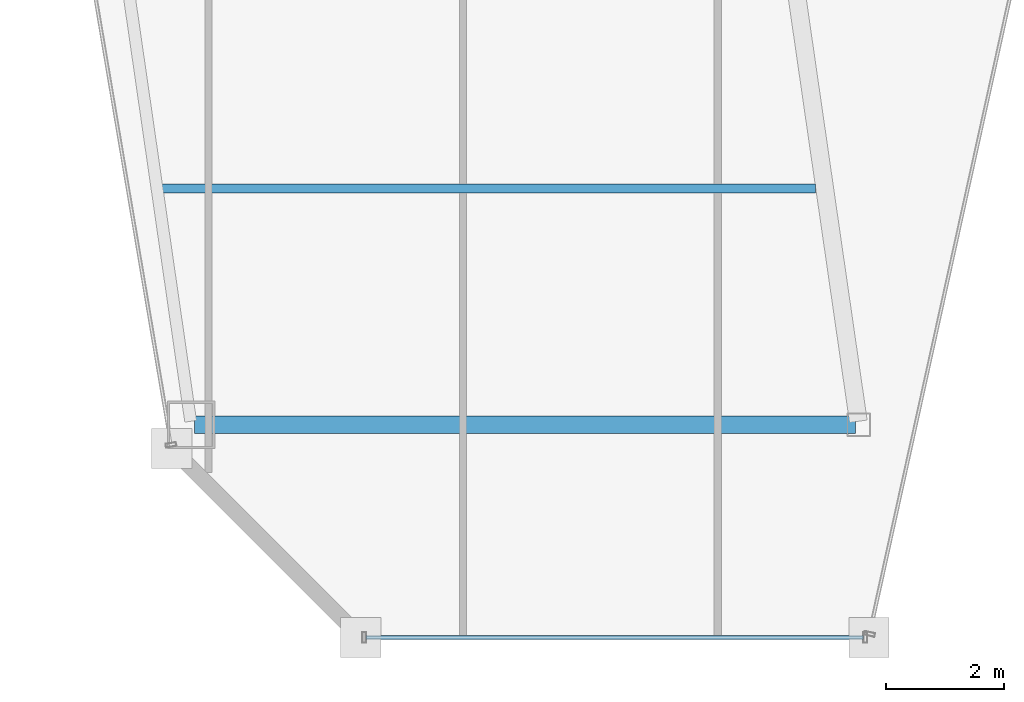
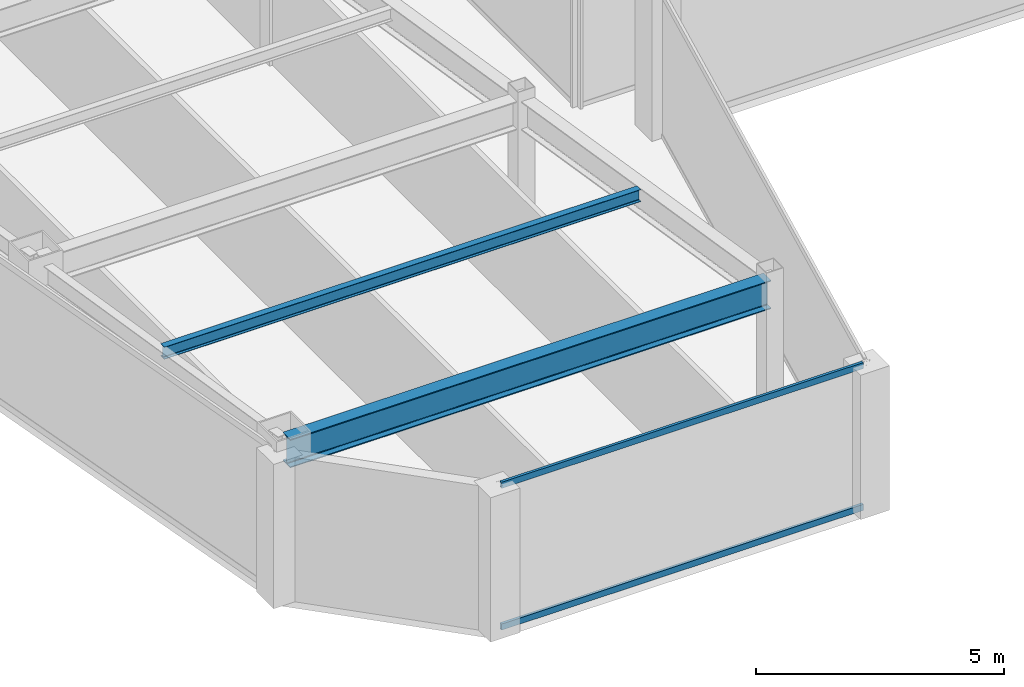
# One storey, part 4 of 36: 2 beams, 2 members, 1 element without a shape of its own.
"""IFC4 building model written with IfcOpenShell, lengths in metres."""

from ifc_helpers import new_model, si_unit, direction, frame, origin, origin_2d, place, context, subcontext, project, spatial, hollow_rectangle, i_section, extrude, material, material_profile, profile_set, type_object, element, aggregate, save


model = new_model("IFC4")

# Units and contexts
model_context = context("Model", 3, precision=1e-05, world=origin(), true_north=direction((0.0, 1.0)))
body_context = subcontext(model_context, "Body", "Model", "MODEL_VIEW")
ifc_project = project(units=[si_unit("LENGTHUNIT", "METRE"), si_unit("AREAUNIT", "SQUARE_METRE"), si_unit("VOLUMEUNIT", "CUBIC_METRE"), si_unit("PLANEANGLEUNIT", "RADIAN"), si_unit("MASSUNIT", "GRAM", prefix="KILO")], contexts=[model_context])

# Site, building, storey
site_placement = place(None, origin())
site = spatial("IfcSite", under=ifc_project, at=site_placement, CompositionType="ELEMENT")
building_placement = place(site_placement, origin())
building = spatial("IfcBuilding", under=site, at=building_placement, Name="Saevonmaru Cultural Tower", CompositionType="ELEMENT")
storey_placement = place(building_placement, frame((0.0, 0.0, 198.0)))
storey = spatial("IfcBuildingStorey", under=building, at=storey_placement, Name="L45", CompositionType="ELEMENT", Elevation=198.0)

# Beams
ifc_material_1 = material(Name="Steel SM355", Category="steel")
ifc_material_profile_1 = material_profile(ifc_material_1, i_section(OverallWidth=0.300048828125, OverallDepth=0.699951171875, WebThickness=0.012939453125, FlangeThickness=0.02392578125, FilletRadius=0.02587890625, at=origin_2d()), Name="H-700x300x13x24")
ifc_profile_set_1 = profile_set([ifc_material_profile_1], Name="Steel SM355")
beam_type_1 = type_object("IfcBeamType", Name="BM-G-H700", PredefinedType="BEAM", material=ifc_profile_set_1)
beam_1_placement = place(storey_placement, frame((10.68798828125, 16.0, 3.199951171875), z_axis=(1.0, 0.0, 0.0), x_axis=(0.0, 1.0, 0.0)))
element("IfcBeam", 1, at=beam_1_placement, inside=storey, type_object=beam_type_1, Name="L45 West Wing Transverse Girder 1", PredefinedType="BEAM", context=body_context, shape_type="SweptSolid", body=[
    extrude(i_section(OverallWidth=0.300048828125, OverallDepth=0.699951171875, WebThickness=0.012939453125, FlangeThickness=0.02392578125, FilletRadius=0.02587890625, at=origin_2d()), origin(), (0.0, 0.0, 1.0), 11.179931640625),
])
ifc_material_profile_2 = material_profile(ifc_material_1, i_section(OverallWidth=0.14990234375, OverallDepth=0.300048828125, WebThickness=0.006591796875, FlangeThickness=0.009033203125, FilletRadius=0.012939453125, at=origin_2d()), Name="H-300x150x6.5x9")
ifc_profile_set_2 = profile_set([ifc_material_profile_2], Name="Steel SM355")
beam_type_2 = type_object("IfcBeamType", Name="BM-J-H300", PredefinedType="JOIST", material=ifc_profile_set_2)
beam_2_placement = place(storey_placement, frame((10.110107421875, 20.0, 3.39990234375), z_axis=(1.0, 0.0, 0.0), x_axis=(0.0, 1.0, 0.0)))
element("IfcBeam", 2, at=beam_2_placement, inside=storey, type_object=beam_type_2, Name="L45 West Wing Floor Joist 1", PredefinedType="JOIST", context=body_context, shape_type="SweptSolid", body=[
    extrude(i_section(OverallWidth=0.14990234375, OverallDepth=0.300048828125, WebThickness=0.006591796875, FlangeThickness=0.009033203125, FilletRadius=0.012939453125, at=origin_2d()), origin(), (0.0, 0.0, 1.0), 11.081787109375),
])

# Curtain wall, members
ifc_material_2 = material(Name="Satin Bronze Anodised Aluminium", Category="aluminium")
curtain_wall_type = type_object("IfcCurtainWallType", Name="CW-TYP-B", PredefinedType="NOTDEFINED", material=ifc_material_2)
curtain_wall_placement = place(storey_placement, origin())
curtain_wall = element("IfcCurtainWall", 3, at=curtain_wall_placement, inside=storey, type_object=curtain_wall_type, Name="L45 Unitised Curtain Wall E2", PredefinedType="NOTDEFINED")
ifc_material_profile_3 = material_profile(ifc_material_2, hollow_rectangle(XDim=0.06494140625, YDim=0.14990234375, WallThickness=0.00390625, at=origin_2d()), Name="ALU-TRAN-150x65x4")
ifc_profile_set_3 = profile_set([ifc_material_profile_3], Name="Satin Bronze Anodised Aluminium")
member_type = type_object("IfcMemberType", Name="TR-CW-150x65", PredefinedType="USERDEFINED", material=ifc_profile_set_3)
member_1_placement = place(storey_placement, frame((13.59033203125, 12.39990234375, 0.032470703125), z_axis=(1.0, 0.0, 0.0), x_axis=(0.0, 1.0, 0.0)))
member_1 = element("IfcMember", 4, at=member_1_placement, type_object=member_type, Name="CW-TW-L45-E2 transom 1.1", ObjectType="TRANSOM", PredefinedType="USERDEFINED", context=body_context, shape_type="SweptSolid", body=[
    extrude(hollow_rectangle(XDim=0.06494140625, YDim=0.14990234375, WallThickness=0.00390625, at=origin_2d()), origin(), (0.0, 0.0, 1.0), 8.4150390625),
])
member_2_placement = place(storey_placement, frame((13.59033203125, 12.39990234375, 3.517578125), z_axis=(1.0, 0.0, 0.0), x_axis=(0.0, 1.0, 0.0)))
member_2 = element("IfcMember", 5, at=member_2_placement, type_object=member_type, Name="CW-TW-L45-E2 transom 1.2", ObjectType="TRANSOM", PredefinedType="USERDEFINED", context=body_context, shape_type="SweptSolid", body=[
    extrude(hollow_rectangle(XDim=0.06494140625, YDim=0.14990234375, WallThickness=0.00390625, at=origin_2d()), origin(), (0.0, 0.0, 1.0), 8.4150390625),
])
aggregate(curtain_wall, [member_1, member_2])

save(model, "model.ifc")
